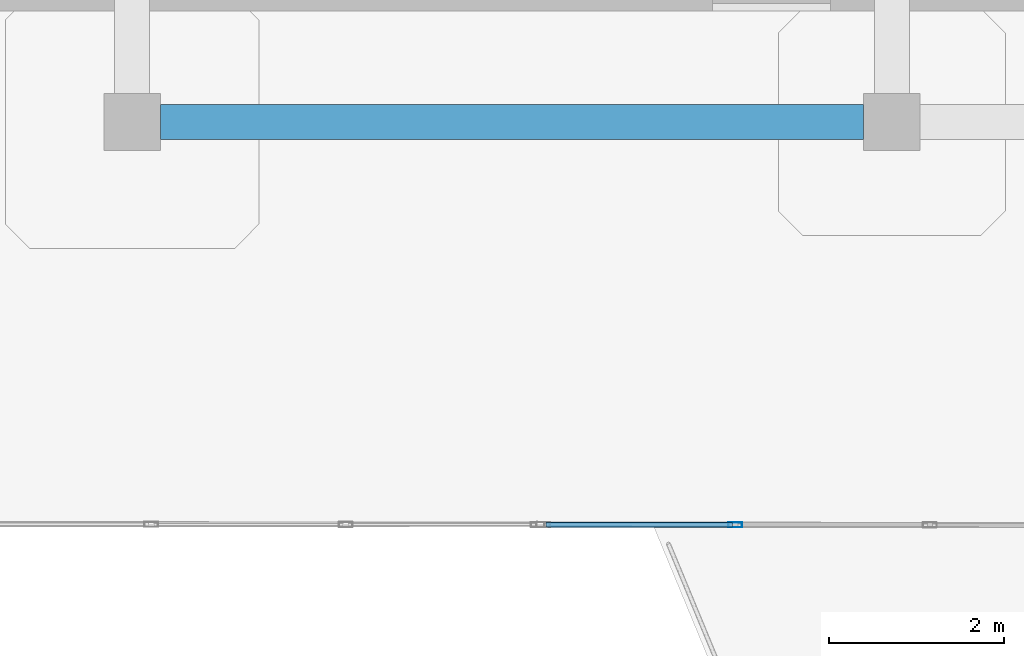
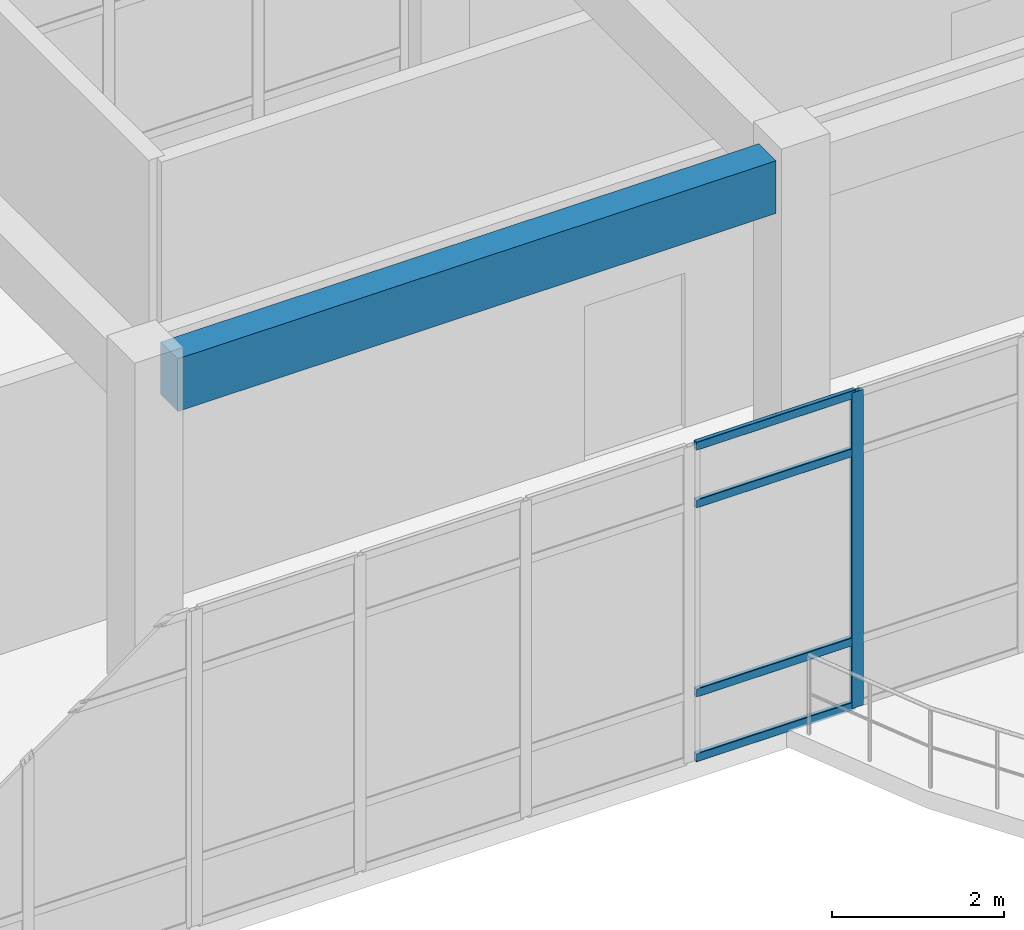
# One storey, part 4 of 41: 5 members, 1 beam, 1 element without a shape of its own.
"""IFC4 building model written with IfcOpenShell, lengths in metres."""

from ifc_helpers import new_model, si_unit, derived_unit, direction, frame, origin, origin_2d, place, context, subcontext, project, spatial, rectangle, hollow_rectangle, extrude, material, layer, layer_set, material_profile, profile_set, type_object, element, aggregate, save


model = new_model("IFC4")

# Units and contexts
model_context = context("Model", 3, precision=1e-05, world=origin(), true_north=direction((0.0, 1.0)))
body_context = subcontext(model_context, "Body", "Model", "MODEL_VIEW")
ifc_project = project(units=[si_unit("LENGTHUNIT", "METRE"), si_unit("AREAUNIT", "SQUARE_METRE"), si_unit("VOLUMEUNIT", "CUBIC_METRE"), si_unit("PLANEANGLEUNIT", "RADIAN"), si_unit("MASSUNIT", "GRAM", prefix="KILO"), derived_unit("THERMALTRANSMITTANCEUNIT", [(si_unit("MASSUNIT", "GRAM", prefix="KILO"), 1), (si_unit("TIMEUNIT", "SECOND"), -3), (si_unit("THERMODYNAMICTEMPERATUREUNIT", "KELVIN"), -1)])], contexts=[model_context])

# Site, building, storey
site_placement = place(None, origin())
site = spatial("IfcSite", under=ifc_project, at=site_placement, CompositionType="ELEMENT")
building_placement = place(site_placement, origin())
building = spatial("IfcBuilding", under=site, at=building_placement, Name="Qinzheling Arcade Emporium", CompositionType="ELEMENT")
storey_placement = place(building_placement, frame((0.0, 0.0, 36.300048828125)))
storey = spatial("IfcBuildingStorey", under=building, at=storey_placement, Name="L08", CompositionType="ELEMENT", Elevation=36.300048828125)

# Curtain wall, members
ifc_material_1 = material(Name="Anodised aluminium and solar-control double glazing", Category="aluminium")
ifc_layer = layer(ifc_material_1, 0.159912109375, Name="Anodised aluminium and solar-control double glazing", Category="aluminium")
ifc_layer_set = layer_set([ifc_layer], Name="Anodised aluminium and solar-control double glazing")
curtain_wall_type = type_object("IfcCurtainWallType", Name="Arcade Portal Glazed Curtain Wall", PredefinedType="NOTDEFINED", material=ifc_layer_set)
curtain_wall_placement = place(storey_placement, origin())
curtain_wall = element("IfcCurtainWall", 1, at=curtain_wall_placement, inside=storey, type_object=curtain_wall_type, Name="Curtain Wall CW-L08-459", PredefinedType="NOTDEFINED")
ifc_material_2 = material(Name="Anodised aluminium 6063-T6", Category="aluminium")
ifc_material_profile_1 = material_profile(ifc_material_2, hollow_rectangle(XDim=0.06005859375, YDim=0.159912109375, WallThickness=0.00390625, InnerFilletRadius=0.00390625, OuterFilletRadius=0.008056640625, at=origin_2d()), Name="RHS 160x60x4", Category="aluminium")
ifc_profile_set_1 = profile_set([ifc_material_profile_1], Name="Anodised aluminium 6063-T6")
member_type_1 = type_object("IfcMemberType", Name="Curtain Wall Mullion RHS160x60", PredefinedType="MULLION", material=ifc_profile_set_1)
member_1_placement = place(storey_placement, frame((15.607666015625, 28.987060546875, 0.0), z_axis=(0.0, 0.0, 1.0), x_axis=(-0.000897397182, -0.999999597339, 0.0)))
member_1 = element("IfcMember", 2, at=member_1_placement, type_object=member_type_1, Name="CW05 mullion 3", PredefinedType="MULLION", context=body_context, shape_type="SweptSolid", body=[
    extrude(hollow_rectangle(XDim=0.06005859375, YDim=0.159912109375, WallThickness=0.00390625, InnerFilletRadius=0.00390625, OuterFilletRadius=0.008056640625, at=origin_2d()), origin(), (0.0, 0.0, 1.0), 4.489990234375),
])
ifc_material_profile_2 = material_profile(ifc_material_2, hollow_rectangle(XDim=0.06005859375, YDim=0.1201171875, WallThickness=0.00390625, InnerFilletRadius=0.00390625, OuterFilletRadius=0.008056640625, at=origin_2d()), Name="RHS 120x60x4", Category="aluminium")
ifc_profile_set_2 = profile_set([ifc_material_profile_2], Name="Anodised aluminium 6063-T6")
member_type_2 = type_object("IfcMemberType", Name="Curtain Wall Transom RHS120x60", PredefinedType="USERDEFINED", material=ifc_profile_set_2)
member_2_placement = place(storey_placement, frame((15.57763671875, 28.987060546875, 0.030029296875), z_axis=(-0.999999582995, 0.000913241628, 0.0), x_axis=(-0.000913241628, -0.999999582995, 0.0)))
member_2 = element("IfcMember", 3, at=member_2_placement, type_object=member_type_2, Name="CW05 transom 3.1", ObjectType="TRANSOM", PredefinedType="USERDEFINED", context=body_context, shape_type="SweptSolid", body=[
    extrude(hollow_rectangle(XDim=0.06005859375, YDim=0.1201171875, WallThickness=0.00390625, InnerFilletRadius=0.00390625, OuterFilletRadius=0.008056640625, at=origin_2d()), origin(), (0.0, 0.0, 1.0), 2.138671875),
])
member_3_placement = place(storey_placement, frame((15.57763671875, 28.987060546875, 0.949951171875), z_axis=(-0.999999582995, 0.000913241628, 0.0), x_axis=(-0.000913241628, -0.999999582995, 0.0)))
member_3 = element("IfcMember", 4, at=member_3_placement, type_object=member_type_2, Name="CW05 transom 3.2", ObjectType="TRANSOM", PredefinedType="USERDEFINED", context=body_context, shape_type="SweptSolid", body=[
    extrude(hollow_rectangle(XDim=0.06005859375, YDim=0.1201171875, WallThickness=0.00390625, InnerFilletRadius=0.00390625, OuterFilletRadius=0.008056640625, at=origin_2d()), origin(), (0.0, 0.0, 1.0), 2.138671875),
])
member_4_placement = place(storey_placement, frame((15.57763671875, 28.987060546875, 3.639892578125), z_axis=(-0.999999582995, 0.000913241628, 0.0), x_axis=(-0.000913241628, -0.999999582995, 0.0)))
member_4 = element("IfcMember", 5, at=member_4_placement, type_object=member_type_2, Name="CW05 transom 3.3", ObjectType="TRANSOM", PredefinedType="USERDEFINED", context=body_context, shape_type="SweptSolid", body=[
    extrude(hollow_rectangle(XDim=0.06005859375, YDim=0.1201171875, WallThickness=0.00390625, InnerFilletRadius=0.00390625, OuterFilletRadius=0.008056640625, at=origin_2d()), origin(), (0.0, 0.0, 1.0), 2.138671875),
])
member_5_placement = place(storey_placement, frame((15.57763671875, 28.987060546875, 4.4599609375), z_axis=(-0.999999582995, 0.000913241628, 0.0), x_axis=(-0.000913241628, -0.999999582995, 0.0)))
member_5 = element("IfcMember", 6, at=member_5_placement, type_object=member_type_2, Name="CW05 transom 3.4", ObjectType="TRANSOM", PredefinedType="USERDEFINED", context=body_context, shape_type="SweptSolid", body=[
    extrude(hollow_rectangle(XDim=0.06005859375, YDim=0.1201171875, WallThickness=0.00390625, InnerFilletRadius=0.00390625, OuterFilletRadius=0.008056640625, at=origin_2d()), origin(), (0.0, 0.0, 1.0), 2.138671875),
])
aggregate(curtain_wall, [member_1, member_2, member_3, member_4, member_5])

# Beam
ifc_material_3 = material(Name="Concrete C40", Category="concrete")
ifc_material_profile_3 = material_profile(ifc_material_3, rectangle(XDim=0.39990234375, YDim=0.75, at=origin_2d()), Name="RC 400x750", Category="concrete")
ifc_profile_set_3 = profile_set([ifc_material_profile_3], Name="Concrete C40")
beam_type = type_object("IfcBeamType", Name="RC Interior Tie Beam 400x750 C40", PredefinedType="BEAM", material=ifc_profile_set_3)
beam_placement = place(storey_placement, frame((9.02490234375, 33.60009765625, 4.18505859375), z_axis=(1.0, 0.0, 0.0), x_axis=(0.0, 1.0, 0.0)))
element("IfcBeam", 7, at=beam_placement, inside=storey, type_object=beam_type, Name="Beam BM-L08-X-E-2", PredefinedType="BEAM", context=body_context, shape_type="SweptSolid", body=[
    extrude(rectangle(XDim=0.39990234375, YDim=0.75, at=origin_2d()), origin(), (0.0, 0.0, 1.0), 8.050048828125),
])

save(model, "model.ifc")
